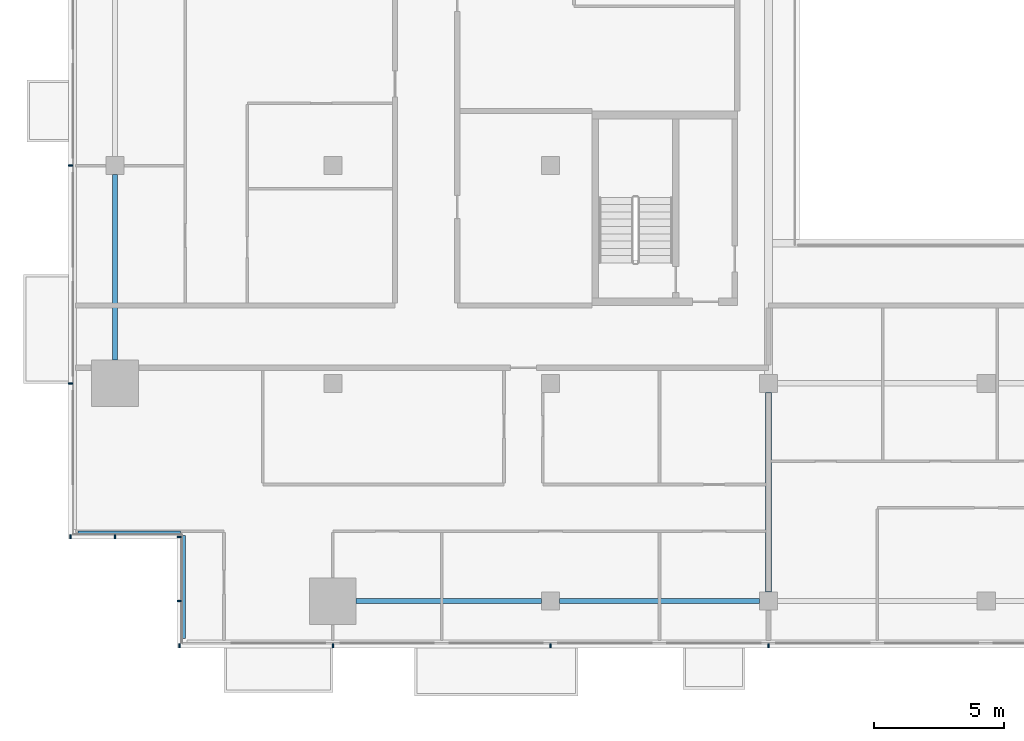
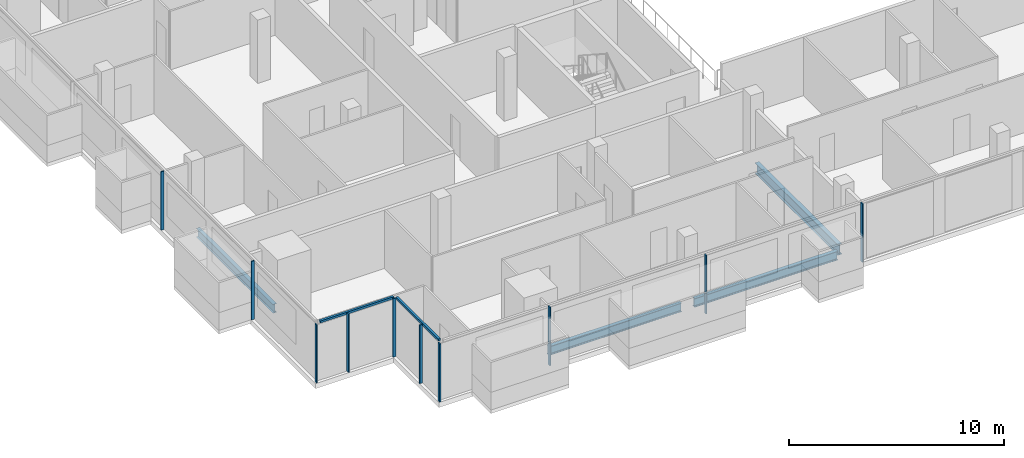
# One storey, part 2 of 30: 12 members, 4 beams, 4 elements without a shape of their own.
"""IFC4 building model written with IfcOpenShell, lengths in metres."""

from ifc_helpers import new_model, si_unit, direction, frame, origin, origin_2d, place, context, subcontext, project, spatial, rectangle, i_section, extrude, material, material_profile, profile_set, type_object, element, aggregate, save


model = new_model("IFC4")

# Units and contexts
model_context = context("Model", 3, precision=1e-05, world=origin(), true_north=direction((0.0, 1.0)))
body_context = subcontext(model_context, "Body", "Model", "MODEL_VIEW")
ifc_project = project(units=[si_unit("LENGTHUNIT", "METRE"), si_unit("AREAUNIT", "SQUARE_METRE"), si_unit("VOLUMEUNIT", "CUBIC_METRE"), si_unit("PLANEANGLEUNIT", "RADIAN"), si_unit("MASSUNIT", "GRAM", prefix="KILO")], contexts=[model_context])

# Site, building, storey
site_placement = place(None, origin())
site = spatial("IfcSite", under=ifc_project, at=site_placement, CompositionType="ELEMENT")
building_placement = place(site_placement, origin())
building = spatial("IfcBuilding", under=site, at=building_placement, Name="Saffron Gate Tower", CompositionType="ELEMENT")
storey_placement = place(building_placement, frame((0.0, 0.0, 158.25)))
storey = spatial("IfcBuildingStorey", under=building, at=storey_placement, Name="L38", CompositionType="ELEMENT", Elevation=158.25)

# Beams
ifc_material_1 = material(Name="Structural steel S355", Category="steel")
ifc_material_profile_1 = material_profile(ifc_material_1, i_section(OverallWidth=0.199951171875, OverallDepth=0.5, WebThickness=0.01025390625, FlangeThickness=0.01611328125, FilletRadius=0.02099609375, at=origin_2d()))
ifc_profile_set_1 = profile_set([ifc_material_profile_1], Name="Structural steel S355")
beam_type_1 = type_object("IfcBeamType", Name="B11 IPE 500", PredefinedType="SPANDREL", material=ifc_profile_set_1)
for number, where, z_axis, x_axis, name in (
    (1, (49.800048828125, 41.10009765625, -0.530029296875), (0.0, 1.0, 0.0), (-1.0, 0.0, 0.0), "B11 SPANDREL BEAM"),
    (2, (59.10009765625, 31.800048828125, -0.530029296875), (1.0, 0.0, 0.0), (0.0, 1.0, 0.0), "B11 SPANDREL BEAM"),
):
    element("IfcBeam", number, at=place(storey_placement, frame(where, z_axis=z_axis, x_axis=x_axis)), inside=storey, type_object=beam_type_1, Name=name, PredefinedType="SPANDREL", context=body_context, shape_type="SweptSolid", body=[
        extrude(i_section(OverallWidth=0.199951171875, OverallDepth=0.5, WebThickness=0.01025390625, FlangeThickness=0.01611328125, FilletRadius=0.02099609375, at=origin_2d()), origin(), (0.0, 0.0, 1.0), 7.14990234375),
    ])
beam_1_placement = place(storey_placement, frame((66.949951171875, 31.800048828125, -0.530029296875), z_axis=(1.0, 0.0, 0.0), x_axis=(0.0, 1.0, 0.0)))
element("IfcBeam", 3, at=beam_1_placement, inside=storey, type_object=beam_type_1, Name="B11 SPANDREL BEAM", PredefinedType="SPANDREL", context=body_context, shape_type="SweptSolid", body=[
    extrude(i_section(OverallWidth=0.199951171875, OverallDepth=0.5, WebThickness=0.01025390625, FlangeThickness=0.01611328125, FilletRadius=0.02099609375, at=origin_2d()), origin(), (0.0, 0.0, 1.0), 7.699951171875),
])
ifc_material_profile_2 = material_profile(ifc_material_1, i_section(OverallWidth=0.219970703125, OverallDepth=0.60009765625, WebThickness=0.011962890625, FlangeThickness=0.01904296875, FilletRadius=0.02392578125, at=origin_2d()))
ifc_profile_set_2 = profile_set([ifc_material_profile_2], Name="Structural steel S355")
beam_type_2 = type_object("IfcBeamType", Name="B15 IPE 600", PredefinedType="BEAM", material=ifc_profile_set_2)
beam_2_placement = place(storey_placement, frame((75.0, 32.14990234375, -0.580078125), z_axis=(0.0, 1.0, 0.0), x_axis=(-1.0, 0.0, 0.0)))
element("IfcBeam", 4, at=beam_2_placement, inside=storey, type_object=beam_type_2, Name="B15 FLOOR GIRDER", PredefinedType="BEAM", context=body_context, shape_type="SweptSolid", body=[
    extrude(i_section(OverallWidth=0.219970703125, OverallDepth=0.60009765625, WebThickness=0.011962890625, FlangeThickness=0.01904296875, FilletRadius=0.02392578125, at=origin_2d()), origin(), (0.0, 0.0, 1.0), 7.7001953125),
])

# Curtain wall, members
ifc_material_2 = material(Name="Aluminium, bronze anodised", Category="aluminium")
curtain_wall_type_1 = type_object("IfcCurtainWallType", Name="CWS1 curtain wall front facade", PredefinedType="NOTDEFINED", material=ifc_material_2)
curtain_wall_1_placement = place(storey_placement, origin())
curtain_wall_1 = element("IfcCurtainWall", 5, at=curtain_wall_1_placement, inside=storey, type_object=curtain_wall_type_1, Name="CWS1 run 1", PredefinedType="NOTDEFINED")
ifc_material_profile_3 = material_profile(ifc_material_2, rectangle(XDim=0.159912109375, YDim=0.06005859375, at=origin_2d()))
ifc_profile_set_3 = profile_set([ifc_material_profile_3], Name="Aluminium, bronze anodised")
member_type_1 = type_object("IfcMemberType", Name="CWS1 mullion 60x160", PredefinedType="MULLION", material=ifc_profile_set_3)
member_1_placement = place(storey_placement, frame((52.280029296875, 30.080078125, 0.0), z_axis=(0.0, 0.0, 1.0), x_axis=(0.0, 1.0, 0.0)))
member_1 = element("IfcMember", 6, at=member_1_placement, type_object=member_type_1, Name="CWS1 mullion 1", PredefinedType="MULLION", context=body_context, shape_type="SweptSolid", body=[
    extrude(rectangle(XDim=0.159912109375, YDim=0.06005859375, at=origin_2d()), origin(), (0.0, 0.0, 1.0), 3.320068359375),
])
member_2_placement = place(storey_placement, frame((58.199951171875, 30.080078125, 0.0), z_axis=(0.0, 0.0, 1.0), x_axis=(0.0, 1.0, 0.0)))
member_2 = element("IfcMember", 7, at=member_2_placement, type_object=member_type_1, Name="CWS1 mullion 2", PredefinedType="MULLION", context=body_context, shape_type="SweptSolid", body=[
    extrude(rectangle(XDim=0.159912109375, YDim=0.06005859375, at=origin_2d()), origin(), (0.0, 0.0, 1.0), 3.320068359375),
])
member_3_placement = place(storey_placement, frame((66.60009765625, 30.080078125, 0.0), z_axis=(0.0, 0.0, 1.0), x_axis=(0.0, 1.0, 0.0)))
member_3 = element("IfcMember", 8, at=member_3_placement, type_object=member_type_1, Name="CWS1 mullion 3", PredefinedType="MULLION", context=body_context, shape_type="SweptSolid", body=[
    extrude(rectangle(XDim=0.159912109375, YDim=0.06005859375, at=origin_2d()), origin(), (0.0, 0.0, 1.0), 3.320068359375),
])
member_4_placement = place(storey_placement, frame((75.0, 30.080078125, 0.0), z_axis=(0.0, 0.0, 1.0), x_axis=(0.0, 1.0, 0.0)))
member_4 = element("IfcMember", 9, at=member_4_placement, type_object=member_type_1, Name="CWS1 mullion 4", PredefinedType="MULLION", context=body_context, shape_type="SweptSolid", body=[
    extrude(rectangle(XDim=0.159912109375, YDim=0.06005859375, at=origin_2d()), origin(), (0.0, 0.0, 1.0), 3.320068359375),
])
aggregate(curtain_wall_1, [member_1, member_2, member_3, member_4])

curtain_wall_type_2 = type_object("IfcCurtainWallType", Name="CWS2 curtain wall side facades", PredefinedType="NOTDEFINED", material=ifc_material_2)
curtain_wall_2_placement = place(storey_placement, origin())
curtain_wall_2 = element("IfcCurtainWall", 10, at=curtain_wall_2_placement, inside=storey, type_object=curtain_wall_type_2, Name="CWS2 run 10", PredefinedType="NOTDEFINED")
ifc_material_profile_4 = material_profile(ifc_material_2, rectangle(XDim=0.159912109375, YDim=0.06005859375, at=origin_2d()))
ifc_profile_set_4 = profile_set([ifc_material_profile_4], Name="Aluminium, bronze anodised")
member_type_2 = type_object("IfcMemberType", Name="CWS2 mullion 60x160", PredefinedType="MULLION", material=ifc_profile_set_4)
member_5_placement = place(storey_placement, frame((48.080078125, 48.60009765625, 0.0), z_axis=(0.0, 0.0, 1.0), x_axis=(1.0, 0.0, 0.0)))
member_5 = element("IfcMember", 11, at=member_5_placement, type_object=member_type_2, Name="CWS2 mullion 4", PredefinedType="MULLION", context=body_context, shape_type="SweptSolid", body=[
    extrude(rectangle(XDim=0.159912109375, YDim=0.06005859375, at=origin_2d()), origin(), (0.0, 0.0, 1.0), 3.320068359375),
])
member_6_placement = place(storey_placement, frame((48.080078125, 40.199951171875, 0.0), z_axis=(0.0, 0.0, 1.0), x_axis=(1.0, 0.0, 0.0)))
member_6 = element("IfcMember", 12, at=member_6_placement, type_object=member_type_2, Name="CWS2 mullion 5", PredefinedType="MULLION", context=body_context, shape_type="SweptSolid", body=[
    extrude(rectangle(XDim=0.159912109375, YDim=0.06005859375, at=origin_2d()), origin(), (0.0, 0.0, 1.0), 3.320068359375),
])
aggregate(curtain_wall_2, [member_5, member_6])

# Curtain wall, member
curtain_wall_type_3 = type_object("IfcCurtainWallType", Name="CWS4 curtain wall corner returns", PredefinedType="NOTDEFINED", material=ifc_material_2)
curtain_wall_3_placement = place(storey_placement, origin())
curtain_wall_3 = element("IfcCurtainWall", 13, at=curtain_wall_3_placement, inside=storey, type_object=curtain_wall_type_3, Name="CWS4 run 11", PredefinedType="NOTDEFINED")
ifc_material_profile_5 = material_profile(ifc_material_2, rectangle(XDim=0.1201171875, YDim=0.1201171875, at=origin_2d()))
ifc_profile_set_5 = profile_set([ifc_material_profile_5], Name="Aluminium, bronze anodised")
member_type_3 = type_object("IfcMemberType", Name="CWS4 head transom", PredefinedType="USERDEFINED", material=ifc_profile_set_5)
member_7_placement = place(storey_placement, frame((48.367919921875, 34.447998046875, 3.260009765625), z_axis=(1.0, 0.0, 0.0), x_axis=(0.0, 1.0, 0.0)))
member_7 = element("IfcMember", 14, at=member_7_placement, type_object=member_type_3, Name="CWS4 head transom", ObjectType="TRANSOM", PredefinedType="USERDEFINED", context=body_context, shape_type="SweptSolid", body=[
    extrude(rectangle(XDim=0.1201171875, YDim=0.1201171875, at=origin_2d()), origin(), (0.0, 0.0, 1.0), 3.9599609375),
])

curtain_wall_4_placement = place(storey_placement, origin())
curtain_wall_4 = element("IfcCurtainWall", 15, at=curtain_wall_4_placement, inside=storey, type_object=curtain_wall_type_3, Name="CWS4 run 12", PredefinedType="NOTDEFINED")
member_8_placement = place(storey_placement, frame((52.447998046875, 34.327880859375, 3.260009765625), z_axis=(0.0, -1.0, 0.0), x_axis=(1.0, 0.0, 0.0)))
member_8 = element("IfcMember", 16, at=member_8_placement, type_object=member_type_3, Name="CWS4 head transom", ObjectType="TRANSOM", PredefinedType="USERDEFINED", context=body_context, shape_type="SweptSolid", body=[
    extrude(rectangle(XDim=0.1201171875, YDim=0.1201171875, at=origin_2d()), origin(), (0.0, 0.0, 1.0), 3.9599609375),
])

# Member
ifc_material_profile_6 = material_profile(ifc_material_2, rectangle(XDim=0.159912109375, YDim=0.06005859375, at=origin_2d()))
ifc_profile_set_6 = profile_set([ifc_material_profile_6], Name="Aluminium, bronze anodised")
member_type_4 = type_object("IfcMemberType", Name="CWS4 mullion 60x160", PredefinedType="MULLION", material=ifc_profile_set_6)
member_9_placement = place(storey_placement, frame((48.080078125, 34.280029296875, 0.0), z_axis=(0.0, 0.0, 1.0), x_axis=(0.0, 1.0, 0.0)))
member_9 = element("IfcMember", 17, at=member_9_placement, type_object=member_type_4, Name="CWS4 mullion 1", PredefinedType="MULLION", context=body_context, shape_type="SweptSolid", body=[
    extrude(rectangle(XDim=0.159912109375, YDim=0.06005859375, at=origin_2d()), origin(), (0.0, 0.0, 1.0), 3.320068359375),
])

member_10_placement = place(storey_placement, frame((49.800048828125, 34.280029296875, 0.0), z_axis=(0.0, 0.0, 1.0), x_axis=(0.0, 1.0, 0.0)))
member_10 = element("IfcMember", 18, at=member_10_placement, type_object=member_type_4, Name="CWS4 mullion 2", PredefinedType="MULLION", context=body_context, shape_type="SweptSolid", body=[
    extrude(rectangle(XDim=0.159912109375, YDim=0.06005859375, at=origin_2d()), origin(), (0.0, 0.0, 1.0), 3.320068359375),
])

aggregate(curtain_wall_3, [member_9, member_10, member_7])

member_11_placement = place(storey_placement, frame((52.280029296875, 34.280029296875, 0.0), z_axis=(0.0, 0.0, 1.0), x_axis=(1.0, 0.0, 0.0)))
member_11 = element("IfcMember", 19, at=member_11_placement, type_object=member_type_4, Name="CWS4 mullion 1", PredefinedType="MULLION", context=body_context, shape_type="SweptSolid", body=[
    extrude(rectangle(XDim=0.159912109375, YDim=0.06005859375, at=origin_2d()), origin(), (0.0, 0.0, 1.0), 3.320068359375),
])

member_12_placement = place(storey_placement, frame((52.280029296875, 31.800048828125, 0.0), z_axis=(0.0, 0.0, 1.0), x_axis=(1.0, 0.0, 0.0)))
member_12 = element("IfcMember", 20, at=member_12_placement, type_object=member_type_4, Name="CWS4 mullion 2", PredefinedType="MULLION", context=body_context, shape_type="SweptSolid", body=[
    extrude(rectangle(XDim=0.159912109375, YDim=0.06005859375, at=origin_2d()), origin(), (0.0, 0.0, 1.0), 3.320068359375),
])

aggregate(curtain_wall_4, [member_11, member_12, member_8])

save(model, "model.ifc")
